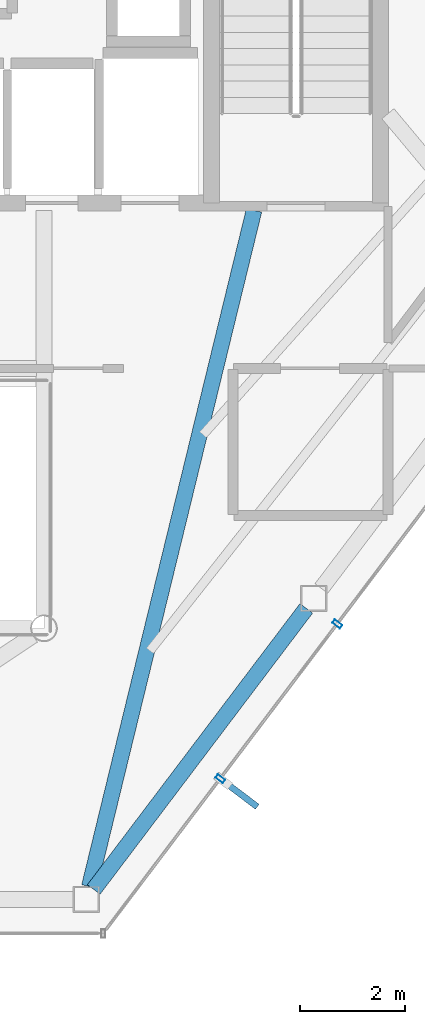
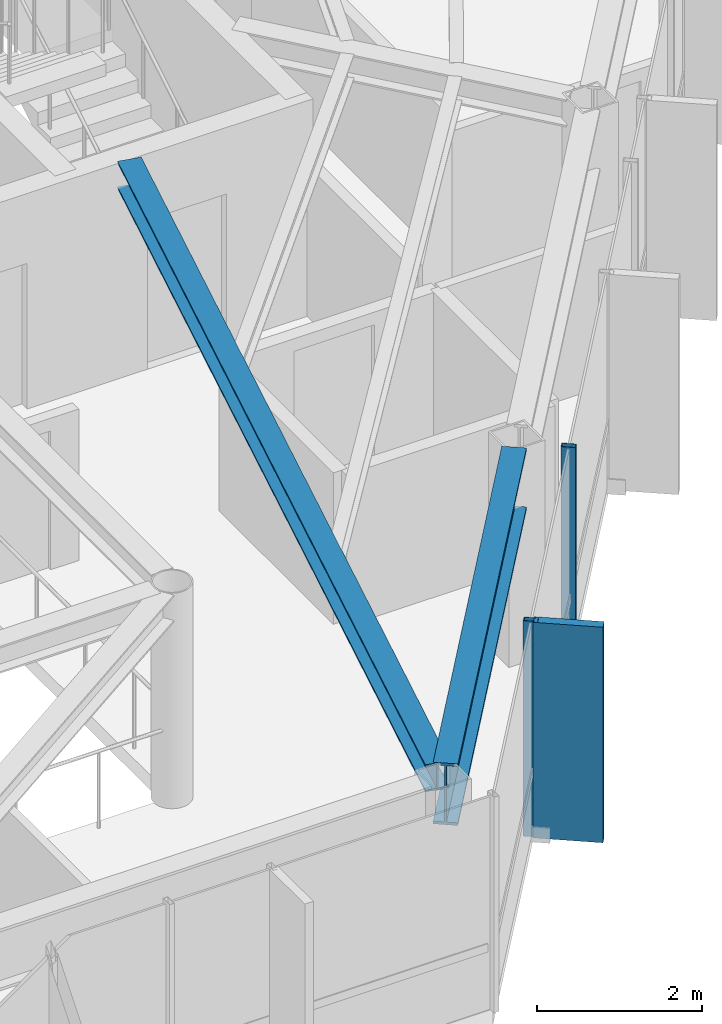
# One storey, part 6 of 24: 3 members, 2 beams, 1 element without a shape of its own.
"""IFC4 building model written with IfcOpenShell, lengths in metres."""

from ifc_helpers import new_model, si_unit, direction, frame, origin, origin_2d, place, context, subcontext, project, spatial, rectangle, hollow_rectangle, i_section, extrude, material, layer, layer_set, material_profile, profile_set, type_object, element, aggregate, save


model = new_model("IFC4")

# Units and contexts
model_context = context("Model", 3, precision=1e-05, world=origin(), true_north=direction((0.0, 1.0)))
body_context = subcontext(model_context, "Body", "Model", "MODEL_VIEW")
ifc_project = project(units=[si_unit("LENGTHUNIT", "METRE"), si_unit("AREAUNIT", "SQUARE_METRE"), si_unit("VOLUMEUNIT", "CUBIC_METRE"), si_unit("PLANEANGLEUNIT", "RADIAN"), si_unit("MASSUNIT", "GRAM", prefix="KILO")], contexts=[model_context])

# Site, building, storey
site_placement = place(None, origin())
site = spatial("IfcSite", under=ifc_project, at=site_placement, CompositionType="ELEMENT")
building_placement = place(site_placement, origin())
building = spatial("IfcBuilding", under=site, at=building_placement, Name="Zarrinselat Tower", CompositionType="ELEMENT")
storey_placement = place(building_placement, frame((0.0, 0.0, 272.0)))
storey = spatial("IfcBuildingStorey", under=building, at=storey_placement, Name="L69", CompositionType="ELEMENT", Elevation=272.0)

# Beams
ifc_material_1 = material(Name="Steel S355J2", Category="steel")
ifc_material_profile_1 = material_profile(ifc_material_1, i_section(OverallWidth=0.300048828125, OverallDepth=0.39990234375, WebThickness=0.013427734375, FlangeThickness=0.02392578125, at=origin_2d()), Name="HEB 400")
ifc_profile_set_1 = profile_set([ifc_material_profile_1], Name="Steel S355J2")
beam_type_1 = type_object("IfcBeamType", Name="BM-HEB400", PredefinedType="BEAM", material=ifc_profile_set_1)
beam_1_placement = place(storey_placement, frame((42.663330078125, 20.28271484375, 2.97998046875), z_axis=(0.236666964274, 0.971590833644, 0.0), x_axis=(-0.971590833644, 0.236666964274, 0.0)))
element("IfcBeam", 1, at=beam_1_placement, inside=storey, type_object=beam_type_1, Name="L69 Radial Primary Girder RG11", PredefinedType="BEAM", context=body_context, shape_type="SweptSolid", body=[
    extrude(i_section(OverallWidth=0.300048828125, OverallDepth=0.39990234375, WebThickness=0.013427734375, FlangeThickness=0.02392578125, at=origin_2d()), origin(), (0.0, 0.0, 1.0), 13.253662109375),
])
ifc_material_2 = material(Name="Steel S460M", Category="steel")
ifc_material_profile_2 = material_profile(ifc_material_2, i_section(OverallWidth=0.302001953125, OverallDepth=0.909912109375, WebThickness=0.02099609375, FlangeThickness=0.0400390625, at=origin_2d()), Name="HEM 900")
ifc_profile_set_2 = profile_set([ifc_material_profile_2], Name="Steel S460M")
beam_type_2 = type_object("IfcBeamType", Name="BM-HEM900", PredefinedType="BEAM", material=ifc_profile_set_2)
beam_2_placement = place(storey_placement, frame((42.747314453125, 20.227783203125, 2.72509765625), z_axis=(0.603161908748, 0.797618776005, 0.0), x_axis=(-0.797618776005, 0.603161908748, 0.0)))
element("IfcBeam", 2, at=beam_2_placement, inside=storey, type_object=beam_type_2, Name="L69 Perimeter Spandrel Girder SP11", PredefinedType="BEAM", context=body_context, shape_type="SweptSolid", body=[
    extrude(i_section(OverallWidth=0.302001953125, OverallDepth=0.909912109375, WebThickness=0.02099609375, FlangeThickness=0.0400390625, at=origin_2d()), origin(), (0.0, 0.0, 1.0), 6.710693359375),
])

# Curtain wall, members
ifc_material_3 = material(Name="Extruded Aluminium Alloy EN AW-6063 T6", Category="aluminium")
ifc_layer = layer(ifc_material_3, 0.199951171875)
ifc_layer_set = layer_set([ifc_layer], Name="Extruded Aluminium Alloy EN AW-6063 T6")
curtain_wall_type = type_object("IfcCurtainWallType", Name="CWS-BLADE", PredefinedType="NOTDEFINED", material=ifc_layer_set)
curtain_wall_placement = place(storey_placement, origin())
curtain_wall = element("IfcCurtainWall", 3, at=curtain_wall_placement, inside=storey, type_object=curtain_wall_type, Name="L69 Unitised Curtain Wall CW-L69-E05", PredefinedType="NOTDEFINED")
ifc_material_4 = material(Name="Extruded Aluminium Alloy EN AW-6063 T6", Category="aluminium")
ifc_material_profile_3 = material_profile(ifc_material_4, hollow_rectangle(XDim=0.080078125, YDim=0.179931640625, WallThickness=0.0048828125, at=origin_2d()), Name="RHS 180x80x5")
ifc_profile_set_3 = profile_set([ifc_material_profile_3], Name="Extruded Aluminium Alloy EN AW-6063 T6")
member_type_1 = type_object("IfcMemberType", Name="MEM-CW-MUL", PredefinedType="MULLION", material=ifc_profile_set_3)
member_1_placement = place(storey_placement, frame((45.156005859375, 22.33544921875, 0.0), z_axis=(0.0, 0.0, 1.0), x_axis=(0.603169586453, 0.797612970041, 0.0)))
member_1 = element("IfcMember", 4, at=member_1_placement, type_object=member_type_1, Name="CW-L69-E05 Mullion 1", PredefinedType="MULLION", context=body_context, shape_type="SweptSolid", body=[
    extrude(hollow_rectangle(XDim=0.080078125, YDim=0.179931640625, WallThickness=0.0048828125, at=origin_2d()), origin(), (0.0, 0.0, 1.0), 3.179931640625),
])
member_2_placement = place(storey_placement, frame((47.385009765625, 25.28271484375, 0.0), z_axis=(0.0, 0.0, 1.0), x_axis=(0.603169586453, 0.797612970041, 0.0)))
member_2 = element("IfcMember", 5, at=member_2_placement, type_object=member_type_1, Name="CW-L69-E05 Mullion 2", PredefinedType="MULLION", context=body_context, shape_type="SweptSolid", body=[
    extrude(hollow_rectangle(XDim=0.080078125, YDim=0.179931640625, WallThickness=0.0048828125, at=origin_2d()), origin(), (0.0, 0.0, 1.0), 3.179931640625),
])
ifc_material_5 = material(Name="Honed Cream Travertine Stone", Category="masonry")
ifc_material_profile_4 = material_profile(ifc_material_5, rectangle(XDim=0.1201171875, YDim=0.85009765625, at=origin_2d()), Name="FIN 850x120")
ifc_profile_set_4 = profile_set([ifc_material_profile_4], Name="Honed Cream Travertine Stone")
member_type_2 = type_object("IfcMemberType", Name="MEM-STONE-FIN", PredefinedType="USERDEFINED", material=ifc_profile_set_4)
member_3_placement = place(storey_placement, frame((45.52294921875, 22.057861328125, 0.0), z_axis=(0.0, 0.0, 1.0), x_axis=(-0.603169586453, -0.797612970041, 0.0)))
member_3 = element("IfcMember", 6, at=member_3_placement, type_object=member_type_2, Name="L69 Stone Shading Fin CW-L69-E05-01", ObjectType="FIN", PredefinedType="USERDEFINED", context=body_context, shape_type="SweptSolid", body=[
    extrude(rectangle(XDim=0.1201171875, YDim=0.85009765625, at=origin_2d()), origin(), (0.0, 0.0, 1.0), 3.179931640625),
])
aggregate(curtain_wall, [member_1, member_3, member_2])

save(model, "model.ifc")
